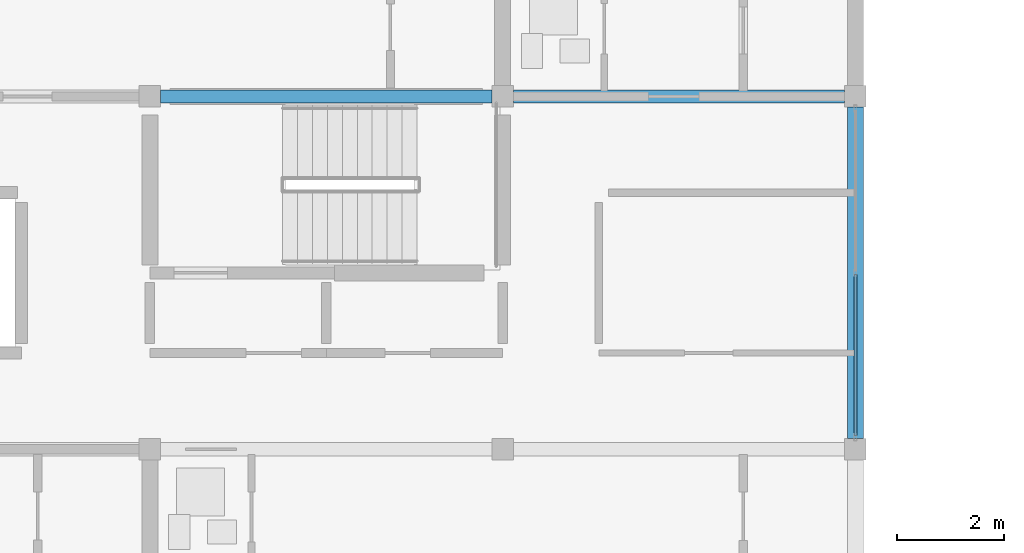
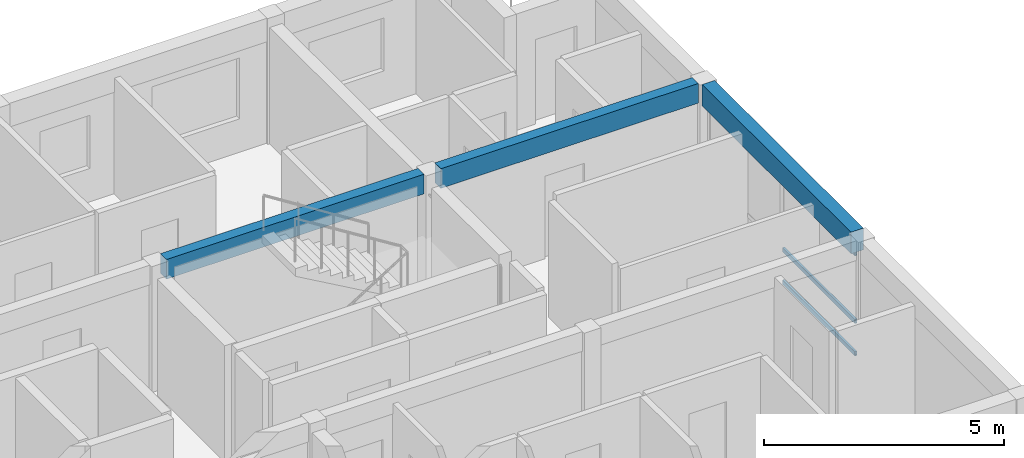
# One storey, part 9 of 45: 3 beams, 3 members, 1 element without a shape of its own.
"""IFC4 building model written with IfcOpenShell, lengths in metres."""

from ifc_helpers import new_model, si_unit, direction, frame, origin, origin_2d, place, context, subcontext, project, spatial, rectangle, hollow_rectangle, extrude, material, material_profile, profile_set, type_object, element, aggregate, save


model = new_model("IFC4")

# Units and contexts
model_context = context("Model", 3, precision=1e-05, world=origin(), true_north=direction((0.0, 1.0)))
body_context = subcontext(model_context, "Body", "Model", "MODEL_VIEW")
ifc_project = project(units=[si_unit("LENGTHUNIT", "METRE"), si_unit("AREAUNIT", "SQUARE_METRE"), si_unit("VOLUMEUNIT", "CUBIC_METRE"), si_unit("PLANEANGLEUNIT", "RADIAN"), si_unit("MASSUNIT", "GRAM", prefix="KILO")], contexts=[model_context])

# Site, building, storey
site_placement = place(None, origin())
site = spatial("IfcSite", under=ifc_project, at=site_placement, CompositionType="ELEMENT")
building_placement = place(site_placement, origin())
building = spatial("IfcBuilding", under=site, at=building_placement, Name="Kernevlak Ridge Housing Community", CompositionType="ELEMENT")
storey_placement = place(building_placement, frame((0.0, 0.0, 14.800048828125)))
storey = spatial("IfcBuildingStorey", under=building, at=storey_placement, Name="L04", CompositionType="ELEMENT", Elevation=14.800048828125)

# Beams
ifc_material_1 = material(Name="Concrete C35/45", Category="concrete")
ifc_material_profile_1 = material_profile(ifc_material_1, rectangle(XDim=0.25, YDim=0.5, at=origin_2d()), Name="RC 250x500")
ifc_profile_set_1 = profile_set([ifc_material_profile_1], Name="Concrete C35/45")
beam_type_1 = type_object("IfcBeamType", Name="B-06", PredefinedType="T_BEAM", material=ifc_profile_set_1)
for number, where, z_axis, x_axis, name in (
    (1, (29.0, 28.800048828125, 2.949951171875), (1.0, 0.0, 0.0), (0.0, 1.0, 0.0), "Beam B-06 L04 1420"),
    (2, (35.60009765625, 28.800048828125, 2.949951171875), (1.0, 0.0, 0.0), (0.0, 1.0, 0.0), "Beam B-06 L04 1421"),
):
    element("IfcBeam", number, at=place(storey_placement, frame(where, z_axis=z_axis, x_axis=x_axis)), inside=storey, type_object=beam_type_1, Name=name, PredefinedType="T_BEAM", context=body_context, shape_type="SweptSolid", body=[
        extrude(rectangle(XDim=0.25, YDim=0.5, at=origin_2d()), origin(), (0.0, 0.0, 1.0), 6.199951171875),
    ])
ifc_material_profile_2 = material_profile(ifc_material_1, rectangle(XDim=0.300048828125, YDim=0.550048828125, at=origin_2d()), Name="RC 300x550")
ifc_profile_set_2 = profile_set([ifc_material_profile_2], Name="Concrete C35/45")
beam_type_2 = type_object("IfcBeamType", Name="SP-01", PredefinedType="SPANDREL", material=ifc_profile_set_2)
beam_placement = place(storey_placement, frame((42.0, 22.39990234375, 2.925048828125), z_axis=(0.0, 1.0, 0.0), x_axis=(-1.0, 0.0, 0.0)))
element("IfcBeam", 3, at=beam_placement, inside=storey, type_object=beam_type_2, Name="Beam SP-01 L04 1430", PredefinedType="SPANDREL", context=body_context, shape_type="SweptSolid", body=[
    extrude(rectangle(XDim=0.300048828125, YDim=0.550048828125, at=origin_2d()), origin(), (0.0, 0.0, 1.0), 6.2001953125),
])

# Curtain wall, members
ifc_material_2 = material(Name="Aluminium EN AW-6060 anodised and laminated glass", Category="aluminium")
curtain_wall_type = type_object("IfcCurtainWallType", Name="CW-02", PredefinedType="NOTDEFINED", material=ifc_material_2)
curtain_wall_placement = place(storey_placement, origin())
curtain_wall = element("IfcCurtainWall", 4, at=curtain_wall_placement, inside=storey, type_object=curtain_wall_type, Name="Curtain wall CW-02 CW-L04-153", PredefinedType="NOTDEFINED")
ifc_material_3 = material(Name="Aluminium EN AW-6060 anodised", Category="aluminium")
ifc_material_profile_3 = material_profile(ifc_material_3, hollow_rectangle(XDim=0.054931640625, YDim=0.110107421875, WallThickness=0.00390625, InnerFilletRadius=0.001953125, OuterFilletRadius=0.00390625, at=origin_2d()), Name="ALU 55x110x4")
ifc_profile_set_3 = profile_set([ifc_material_profile_3], Name="Aluminium EN AW-6060 anodised")
member_type = type_object("IfcMemberType", Name="TM-01", PredefinedType="USERDEFINED", material=ifc_profile_set_3)
member_1_placement = place(storey_placement, frame((42.0, 22.455078125, 0.02734375), z_axis=(0.0, 1.0, 0.0), x_axis=(-1.0, 0.0, 0.0)))
member_1 = element("IfcMember", 5, at=member_1_placement, type_object=member_type, Name="CW-02 transom 1.1", ObjectType="TRANSOM", PredefinedType="USERDEFINED", context=body_context, shape_type="SweptSolid", body=[
    extrude(hollow_rectangle(XDim=0.054931640625, YDim=0.110107421875, WallThickness=0.00390625, InnerFilletRadius=0.001953125, OuterFilletRadius=0.00390625, at=origin_2d()), origin(), (0.0, 0.0, 1.0), 3.017333984375),
])
member_2_placement = place(storey_placement, frame((42.0, 22.455078125, 0.849853515625), z_axis=(0.0, 1.0, 0.0), x_axis=(-1.0, 0.0, 0.0)))
member_2 = element("IfcMember", 6, at=member_2_placement, type_object=member_type, Name="CW-02 transom 1.2", ObjectType="TRANSOM", PredefinedType="USERDEFINED", context=body_context, shape_type="SweptSolid", body=[
    extrude(hollow_rectangle(XDim=0.054931640625, YDim=0.110107421875, WallThickness=0.00390625, InnerFilletRadius=0.001953125, OuterFilletRadius=0.00390625, at=origin_2d()), origin(), (0.0, 0.0, 1.0), 3.017333984375),
])
member_3_placement = place(storey_placement, frame((42.0, 22.455078125, 2.572509765625), z_axis=(0.0, 1.0, 0.0), x_axis=(-1.0, 0.0, 0.0)))
member_3 = element("IfcMember", 7, at=member_3_placement, type_object=member_type, Name="CW-02 transom 1.3", ObjectType="TRANSOM", PredefinedType="USERDEFINED", context=body_context, shape_type="SweptSolid", body=[
    extrude(hollow_rectangle(XDim=0.054931640625, YDim=0.110107421875, WallThickness=0.00390625, InnerFilletRadius=0.001953125, OuterFilletRadius=0.00390625, at=origin_2d()), origin(), (0.0, 0.0, 1.0), 3.017333984375),
])
aggregate(curtain_wall, [member_1, member_2, member_3])

save(model, "model.ifc")
